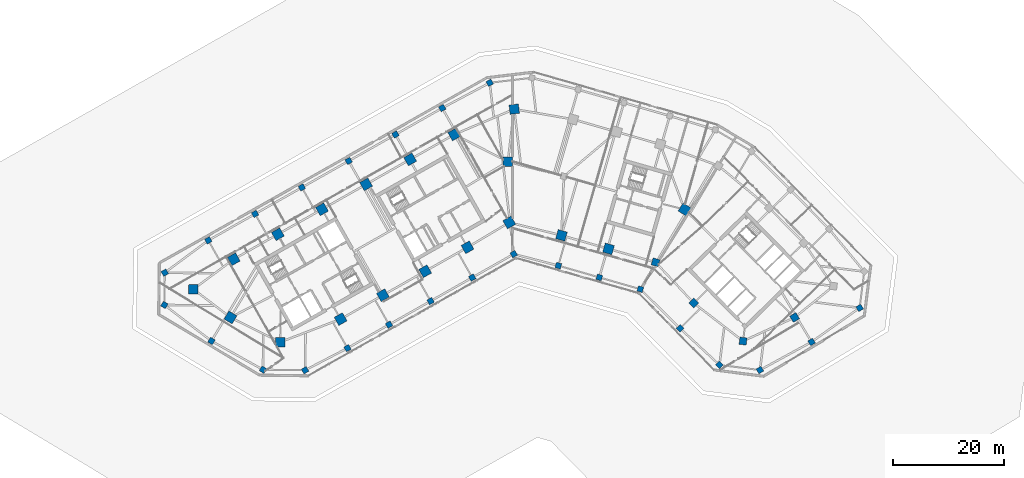
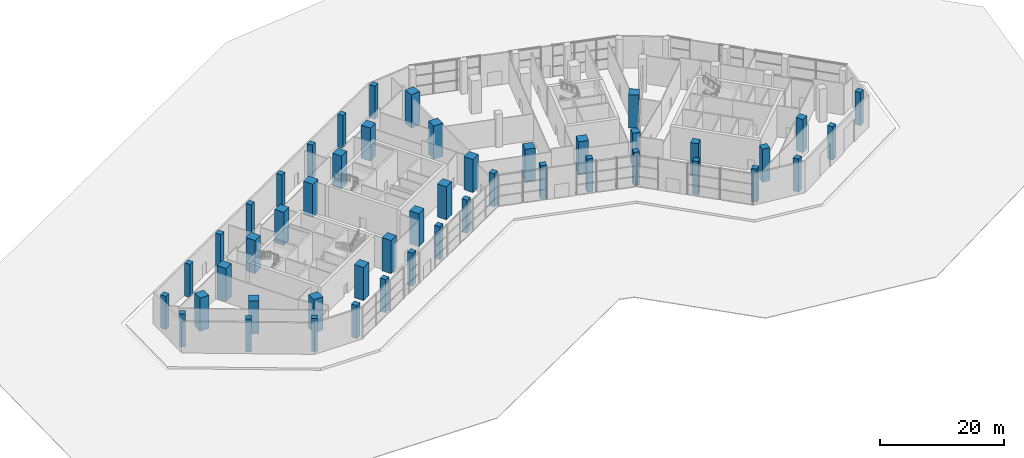
# One storey, part 1 of 22: 48 columns.
"""IFC4 building model written with IfcOpenShell, lengths in metres."""

from ifc_helpers import new_model, si_unit, direction, frame, origin, origin_2d, place, context, subcontext, project, spatial, rectangle, extrude, material, material_profile, profile_set, type_object, element, save


model = new_model("IFC4")

# Units and contexts
model_context = context("Model", 3, precision=1e-05, world=origin(), true_north=direction((0.0, 1.0)))
body_context = subcontext(model_context, "Body", "Model", "MODEL_VIEW")
ifc_project = project(units=[si_unit("LENGTHUNIT", "METRE"), si_unit("AREAUNIT", "SQUARE_METRE"), si_unit("VOLUMEUNIT", "CUBIC_METRE"), si_unit("PLANEANGLEUNIT", "RADIAN"), si_unit("MASSUNIT", "GRAM", prefix="KILO")], contexts=[model_context])

# Site, building, storey
site_placement = place(None, origin())
site = spatial("IfcSite", under=ifc_project, at=site_placement, CompositionType="ELEMENT")
building_placement = place(site_placement, origin())
building = spatial("IfcBuilding", under=site, at=building_placement, Name="Binnacle Exchange Tower", CompositionType="ELEMENT")
storey_placement = place(building_placement, origin())
storey = spatial("IfcBuildingStorey", under=building, at=storey_placement, Name="L00", CompositionType="ELEMENT", Elevation=0.0)

# Columns
ifc_material_1 = material(Name="Concrete C70/85", Category="concrete")
ifc_material_profile_1 = material_profile(ifc_material_1, rectangle(XDim=1.300048828125, YDim=1.300048828125, at=origin_2d()), Name="Mega column 1300x1300 C70/85")
ifc_profile_set_1 = profile_set([ifc_material_profile_1], Name="Concrete C70/85")
column_type_1 = type_object("IfcColumnType", Name="Mega column 1300x1300 C70/85", PredefinedType="COLUMN", material=ifc_profile_set_1)
for number, where, z_axis, x_axis, name in (
    (1, (25.766845703125, 41.85986328125, 0.0), (0.0, 0.0, 1.0), (0.961261695938, -0.275637355817, 0.0), "S:COL:MC56:L00"),
    (2, (32.64111328125, 34.530029296875, 0.0), (0.0, 0.0, 1.0), (0.7009092643, -0.713250449154, 0.0), "S:COL:MC59:L00"),
    (3, (41.519775390625, 27.6748046875, 0.0), (0.0, 0.0, 1.0), (0.99200494968, -0.126198969136, 0.0), "S:COL:MC61:L00"),
    (4, (50.81201171875, 31.930908203125, 0.0), (0.0, 0.0, 1.0), (0.857167300702, 0.51503807491, 0.0), "S:COL:MC63:L00"),
):
    element("IfcColumn", number, at=place(storey_placement, frame(where, z_axis=z_axis, x_axis=x_axis)), inside=storey, type_object=column_type_1, Name=name, PredefinedType="COLUMN", context=body_context, shape_type="SweptSolid", body=[
        extrude(rectangle(XDim=1.300048828125, YDim=1.300048828125, at=origin_2d()), origin(), (0.0, 0.0, 1.0), 6.5),
    ])
ifc_material_profile_2 = material_profile(ifc_material_1, rectangle(XDim=1.699951171875, YDim=1.699951171875, at=origin_2d()), Name="Mega column 1700x1700 C70/85")
ifc_profile_set_2 = profile_set([ifc_material_profile_2], Name="Concrete C70/85")
column_type_2 = type_object("IfcColumnType", Name="Mega column 1700x1700 C70/85", PredefinedType="COLUMN", material=ifc_profile_set_2)
for number, where, z_axis, x_axis, name in (
    (5, (0.300048828125, 69.464111328125, 0.0), (0.0, 0.0, 1.0), (-0.993068456955, -0.117537397458, 0.0), "S:COL:MC47:L00"),
    (6, (-10.4951171875, 64.901611328125, 0.0), (0.0, 0.0, 1.0), (-0.87035569594, -0.492423560103, 0.0), "S:COL:MC38:L00"),
    (7, (-18.44140625, 60.406005859375, 0.0), (0.0, 0.0, 1.0), (-0.87035569594, -0.492423560103, 0.0), "S:COL:MC29:L00"),
    (8, (-26.3876953125, 55.91015625, 0.0), (0.0, 0.0, 1.0), (-0.87035569594, -0.492423560103, 0.0), "S:COL:MC21:L00"),
    (9, (-34.333740234375, 51.414306640625, 0.0), (0.0, 0.0, 1.0), (-0.87035569594, -0.492423560103, 0.0), "S:COL:MC13:L00"),
    (10, (-42.280029296875, 46.918701171875, 0.0), (0.0, 0.0, 1.0), (-0.87035569594, -0.492423560103, 0.0), "S:COL:MC08:L00"),
    (11, (-50.226318359375, 42.4228515625, 0.0), (0.0, 0.0, 1.0), (-0.87035569594, -0.492423560103, 0.0), "S:COL:MC04:L00"),
    (12, (-57.492919921875, 37.02734375, 0.0), (0.0, 0.0, 1.0), (-0.013089595571, -0.999914327574, 0.0), "S:COL:MC02:L00"),
    (13, (-50.81201171875, 31.930908203125, 0.0), (0.0, 0.0, 1.0), (0.857167300702, -0.51503807491, 0.0), "S:COL:MC01:L00"),
    (14, (-41.857666015625, 27.494873046875, 0.0), (0.0, 0.0, 1.0), (0.999914327574, -0.013089595571, 0.0), "S:COL:MC03:L00"),
    (15, (-30.9755859375, 31.63525390625, 0.0), (0.0, 0.0, 1.0), (0.87035569594, 0.492423560103, 0.0), "S:COL:MC07:L00"),
    (16, (-23.35595703125, 35.9462890625, 0.0), (0.0, 0.0, 1.0), (0.87035569594, 0.492423560103, 0.0), "S:COL:MC16:L00"),
    (17, (-15.736328125, 40.257080078125, 0.0), (0.0, 0.0, 1.0), (0.87035569594, 0.492423560103, 0.0), "S:COL:MC24:L00"),
    (18, (-8.116943359375, 44.568115234375, 0.0), (0.0, 0.0, 1.0), (0.87035569594, 0.492423560103, 0.0), "S:COL:MC35:L00"),
    (19, (-0.5908203125, 49.04443359375, 0.0), (0.0, 0.0, 1.0), (0.87035569594, 0.492423560103, 0.0), "S:COL:MC46:L00"),
    (20, (8.8095703125, 46.722412109375, 0.0), (0.0, 0.0, 1.0), (0.961261695938, -0.275637355817, 0.0), "S:COL:MC49:L00"),
    (21, (17.2880859375, 44.291015625, 0.0), (0.0, 0.0, 1.0), (0.961261695938, -0.275637355817, 0.0), "S:COL:MC51:L00"),
    (22, (30.989501953125, 51.38623046875, 0.0), (0.0, 0.0, 1.0), (0.529919264233, 0.848048096156, 0.0), "S:COL:MC55:L00"),
    (23, (-0.85009765625, 60.0, 0.0), (0.0, 0.0, 1.0), (0.0, 1.0, 0.0), "S:COL:MC45:L00"),
):
    element("IfcColumn", number, at=place(storey_placement, frame(where, z_axis=z_axis, x_axis=x_axis)), inside=storey, type_object=column_type_2, Name=name, PredefinedType="COLUMN", context=body_context, shape_type="SweptSolid", body=[
        extrude(rectangle(XDim=1.699951171875, YDim=1.699951171875, at=origin_2d()), origin(), (0.0, 0.0, 1.0), 6.5),
    ])
ifc_material_2 = material(Name="Concrete C50/60", Category="concrete")
ifc_material_profile_3 = material_profile(ifc_material_2, rectangle(XDim=1.0, YDim=1.0, at=origin_2d()), Name="Podium column 1000x1000 C50/60")
ifc_profile_set_3 = profile_set([ifc_material_profile_3], Name="Concrete C50/60")
column_type_3 = type_object("IfcColumnType", Name="Podium column 1000x1000 C50/60", PredefinedType="COLUMN", material=ifc_profile_set_3)
for number, where, z_axis, x_axis, name in (
    (24, (-4.115966796875, 74.209716796875, 0.0), (0.0, 0.0, 1.0), (-0.87035569594, -0.492423560103, 0.0), "S:COL:C16:L00"),
    (25, (-12.66748046875, 69.65869140625, 0.0), (0.0, 0.0, 1.0), (-0.87035569594, -0.492423560103, 0.0), "S:COL:C15:L00"),
    (26, (-21.095703125, 64.89013671875, 0.0), (0.0, 0.0, 1.0), (-0.87035569594, -0.492423560103, 0.0), "S:COL:C13:L00"),
    (27, (-29.524169921875, 60.12158203125, 0.0), (0.0, 0.0, 1.0), (-0.87035569594, -0.492423560103, 0.0), "S:COL:C11:L00"),
    (28, (-37.95263671875, 55.35302734375, 0.0), (0.0, 0.0, 1.0), (-0.87035569594, -0.492423560103, 0.0), "S:COL:C10:L00"),
    (29, (-46.381103515625, 50.58447265625, 0.0), (0.0, 0.0, 1.0), (-0.87035569594, -0.492423560103, 0.0), "S:COL:C08:L00"),
    (30, (-54.8095703125, 45.81591796875, 0.0), (0.0, 0.0, 1.0), (-0.87035569594, -0.492423560103, 0.0), "S:COL:C06:L00"),
    (31, (-62.64697265625, 40.0029296875, 0.0), (0.0, 0.0, 1.0), (-0.87035569594, -0.492423560103, 0.0), "S:COL:C05:L00"),
    (32, (-62.722900390625, 34.18798828125, 0.0), (0.0, 0.0, 1.0), (0.857167300702, -0.51503807491, 0.0), "S:COL:C03:L00"),
    (33, (-54.244873046875, 27.69384765625, 0.0), (0.0, 0.0, 1.0), (0.857167300702, -0.51503807491, 0.0), "S:COL:C02:L00"),
    (34, (-44.968505859375, 22.5283203125, 0.0), (0.0, 0.0, 1.0), (0.857167300702, -0.51503807491, 0.0), "S:COL:C01:L00"),
    (35, (-37.378173828125, 22.428955078125, 0.0), (0.0, 0.0, 1.0), (0.87035569594, 0.492423560103, 0.0), "S:COL:C04:L00"),
    (36, (-29.740478515625, 26.4052734375, 0.0), (0.0, 0.0, 1.0), (0.87035569594, 0.492423560103, 0.0), "S:COL:C07:L00"),
    (37, (-22.250732421875, 30.642822265625, 0.0), (0.0, 0.0, 1.0), (0.87035569594, 0.492423560103, 0.0), "S:COL:C09:L00"),
    (38, (-14.760986328125, 34.88037109375, 0.0), (0.0, 0.0, 1.0), (0.87035569594, 0.492423560103, 0.0), "S:COL:C12:L00"),
    (39, (-7.27099609375, 39.117919921875, 0.0), (0.0, 0.0, 1.0), (0.87035569594, 0.492423560103, 0.0), "S:COL:C14:L00"),
    (40, (0.21875, 43.35546875, 0.0), (0.0, 0.0, 1.0), (0.87035569594, 0.492423560103, 0.0), "S:COL:C17:L00"),
    (41, (8.242919921875, 41.26708984375, 0.0), (0.0, 0.0, 1.0), (0.961261695938, -0.275637355817, 0.0), "S:COL:C21:L00"),
    (42, (15.6279296875, 39.1494140625, 0.0), (0.0, 0.0, 1.0), (0.961261695938, -0.275637355817, 0.0), "S:COL:C23:L00"),
    (43, (23.01318359375, 37.031982421875, 0.0), (0.0, 0.0, 1.0), (0.961261695938, -0.275637355817, 0.0), "S:COL:C26:L00"),
    (44, (30.17236328125, 29.9658203125, 0.0), (0.0, 0.0, 1.0), (0.7009092643, -0.713250449154, 0.0), "S:COL:C29:L00"),
    (45, (37.26708984375, 23.38818359375, 0.0), (0.0, 0.0, 1.0), (0.7009092643, -0.713250449154, 0.0), "S:COL:C32:L00"),
    (46, (44.563720703125, 22.4599609375, 0.0), (0.0, 0.0, 1.0), (0.857167300702, 0.51503807491, 0.0), "S:COL:C35:L00"),
    (47, (53.86376953125, 27.52294921875, 0.0), (0.0, 0.0, 1.0), (0.857167300702, 0.51503807491, 0.0), "S:COL:C34:L00"),
    (48, (62.52001953125, 33.65771484375, 0.0), (0.0, 0.0, 1.0), (0.857167300702, 0.51503807491, 0.0), "S:COL:C33:L00"),
):
    element("IfcColumn", number, at=place(storey_placement, frame(where, z_axis=z_axis, x_axis=x_axis)), inside=storey, type_object=column_type_3, Name=name, PredefinedType="COLUMN", context=body_context, shape_type="SweptSolid", body=[
        extrude(rectangle(XDim=1.0, YDim=1.0, at=origin_2d()), origin(), (0.0, 0.0, 1.0), 6.5),
    ])

save(model, "model.ifc")
